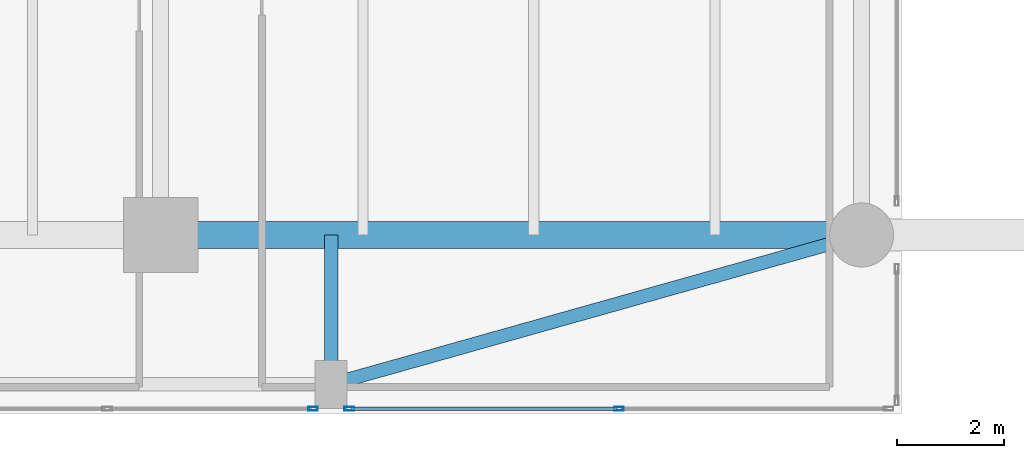
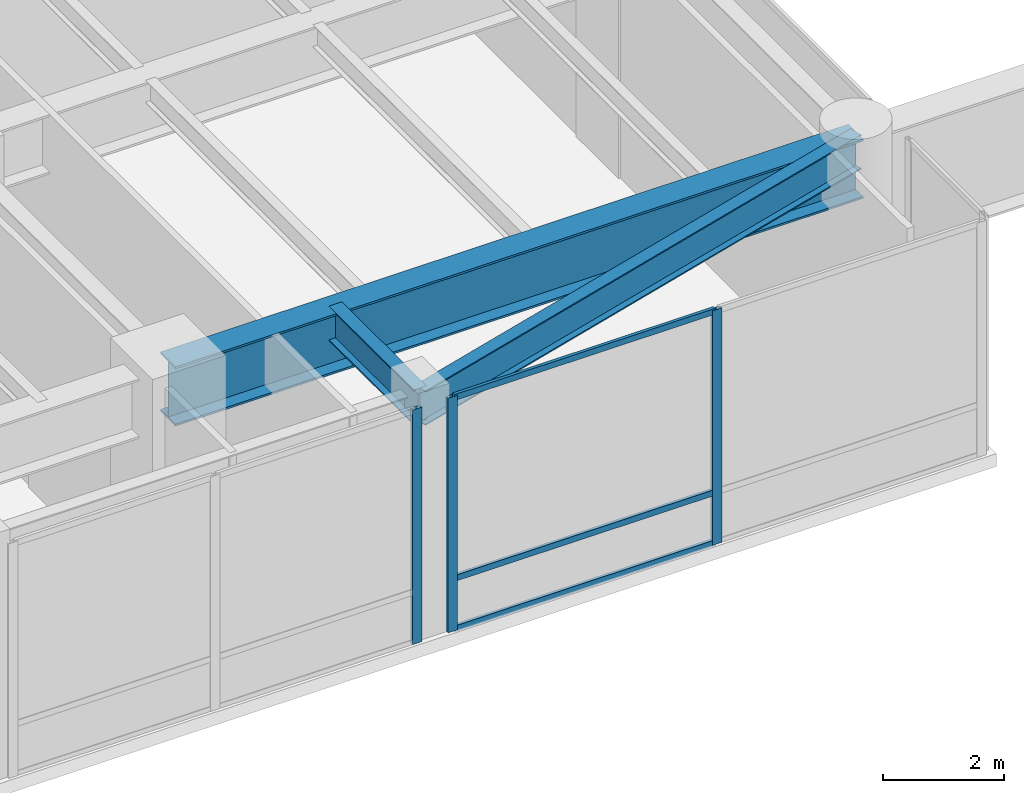
# One storey, part 6 of 39: 6 members, 3 beams, 2 elements without a shape of their own.
"""IFC4 building model written with IfcOpenShell, lengths in metres."""

from ifc_helpers import new_model, si_unit, direction, frame, origin, origin_2d, place, context, subcontext, project, spatial, hollow_rectangle, i_section, extrude, source, transform, mapped, material, layer, layer_set, material_profile, profile_set, type_object, type_shapes, element, aggregate, save


model = new_model("IFC4")

# Units and contexts
model_context = context("Model", 3, precision=1e-05, world=origin(), true_north=direction((0.0, 1.0)))
body_context = subcontext(model_context, "Body", "Model", "MODEL_VIEW")
ifc_project = project(units=[si_unit("LENGTHUNIT", "METRE"), si_unit("AREAUNIT", "SQUARE_METRE"), si_unit("VOLUMEUNIT", "CUBIC_METRE"), si_unit("PLANEANGLEUNIT", "RADIAN"), si_unit("MASSUNIT", "GRAM", prefix="KILO")], contexts=[model_context])

# Site, building, storey
site_placement = place(None, origin())
site = spatial("IfcSite", under=ifc_project, at=site_placement, CompositionType="ELEMENT")
building_placement = place(site_placement, origin())
building = spatial("IfcBuilding", under=site, at=building_placement, Name="Tolvann Quenvar Hotel", CompositionType="ELEMENT")
storey_placement = place(building_placement, frame((0.0, 0.0, 11.0)))
storey = spatial("IfcBuildingStorey", under=building, at=storey_placement, Name="L02", CompositionType="ELEMENT", Elevation=11.0)

# Beams
ifc_material_1 = material(Name="Steel Grade 350", Category="steel")
ifc_material_profile_1 = material_profile(ifc_material_1, i_section(OverallWidth=0.5, OverallDepth=1.199951171875, WebThickness=0.01611328125, FlangeThickness=0.0400390625, at=origin_2d()), Name="1200WB455")
ifc_profile_set_1 = profile_set([ifc_material_profile_1], Name="Steel Grade 350")
beam_type_1 = type_object("IfcBeamType", Name="BM_TG_1200WB455", PredefinedType="USERDEFINED", material=ifc_profile_set_1)
shared_shape_1 = source(origin(), body_context, "Body", "SweptSolid", [
    extrude(i_section(OverallWidth=0.5, OverallDepth=1.199951171875, WebThickness=0.01611328125, FlangeThickness=0.0400390625, at=origin_2d()), origin(), (0.0, 0.0, 1.0), 13.14990234375),
])
type_shapes(beam_type_1, [shared_shape_1])
beam_1_placement = place(storey_placement, frame((5.60009765625, 0.85009765625, 4.139892578125), z_axis=(1.0, 0.0, 0.0), x_axis=(0.0, 1.0, 0.0)))
element("IfcBeam", 1, at=beam_1_placement, inside=storey, type_object=beam_type_1, Name="BM-L02-GW2-1", ObjectType="TRANSFER GIRDER", PredefinedType="USERDEFINED", context=body_context, shape_type="MappedRepresentation", body=[
    mapped(shared_shape_1, transform((0.0, 0.0, 0.0), x_axis=(1.0, 0.0, 0.0), y_axis=(0.0, 1.0, 0.0), z_axis=(0.0, 0.0, 1.0), scale=1.0)),
])
ifc_material_profile_2 = material_profile(ifc_material_1, i_section(OverallWidth=0.25, OverallDepth=0.699951171875, WebThickness=0.010009765625, FlangeThickness=0.02392578125, at=origin_2d()), Name="700WB150")
ifc_profile_set_2 = profile_set([ifc_material_profile_2], Name="Steel Grade 350")
beam_type_2 = type_object("IfcBeamType", Name="BM_GIRD_700WB150", PredefinedType="BEAM", material=ifc_profile_set_2)
shared_shape_2 = source(origin(), body_context, "Body", "SweptSolid", [
    extrude(i_section(OverallWidth=0.25, OverallDepth=0.699951171875, WebThickness=0.010009765625, FlangeThickness=0.02392578125, at=origin_2d()), origin(), (0.0, 0.0, 1.0), 10.33642578125),
])
beam_2_placement = place(storey_placement, frame((8.800048828125, -1.949951171875, 4.389892578125), z_axis=(0.962609953155, 0.270891266169, 0.0), x_axis=(-0.270891266169, 0.962609953155, 0.0)))
element("IfcBeam", 2, at=beam_2_placement, inside=storey, type_object=beam_type_2, Name="BM-L02-EWS-W2", PredefinedType="BEAM", context=body_context, shape_type="MappedRepresentation", body=[
    mapped(shared_shape_2, transform((0.0, 0.0, 0.0), x_axis=(1.0, 0.0, 0.0), y_axis=(0.0, 1.0, 0.0), z_axis=(0.0, 0.0, 1.0), scale=1.0)),
])
shared_shape_3 = source(origin(), body_context, "Body", "SweptSolid", [
    extrude(i_section(OverallWidth=0.25, OverallDepth=0.699951171875, WebThickness=0.010009765625, FlangeThickness=0.02392578125, at=origin_2d()), origin(), (0.0, 0.0, 1.0), 2.800048828125),
])
type_shapes(beam_type_2, [shared_shape_2, shared_shape_3])
beam_3_placement = place(storey_placement, frame((8.800048828125, -1.949951171875, 4.389892578125), z_axis=(0.0, 1.0, 0.0), x_axis=(-1.0, 0.0, 0.0)))
element("IfcBeam", 3, at=beam_3_placement, inside=storey, type_object=beam_type_2, Name="BM-L02-TIE-S-8", PredefinedType="BEAM", context=body_context, shape_type="MappedRepresentation", body=[
    mapped(shared_shape_3, transform((0.0, 0.0, 0.0), x_axis=(1.0, 0.0, 0.0), y_axis=(0.0, 1.0, 0.0), z_axis=(0.0, 0.0, 1.0), scale=1.0)),
])

# Curtain wall, member
ifc_material_2 = material(Name="Thermally broken anodised architectural aluminium 6063-T6 and laminated low-E glass", Category="aluminium")
ifc_layer = layer(ifc_material_2, 0.179931640625)
ifc_layer_set = layer_set([ifc_layer], Name="Thermally broken anodised architectural aluminium 6063-T6 and laminated low-E glass")
curtain_wall_type = type_object("IfcCurtainWallType", Name="CW_SYS_BALL_02", PredefinedType="USERDEFINED", material=ifc_layer_set)
curtain_wall_1_placement = place(storey_placement, origin())
curtain_wall_1 = element("IfcCurtainWall", 4, at=curtain_wall_1_placement, inside=storey, type_object=curtain_wall_type, Name="Curtain Wall CW-BALL-02 (CWR-L02-E08-S2)", ObjectType="UNITISED CURTAIN WALL", PredefinedType="USERDEFINED")
ifc_material_3 = material(Name="Anodised architectural aluminium 6063-T6 framing", Category="aluminium")
ifc_material_profile_3 = material_profile(ifc_material_3, hollow_rectangle(XDim=0.070068359375, YDim=0.179931640625, WallThickness=0.00390625, at=origin_2d()), Name="180x70x4RHS")
ifc_profile_set_3 = profile_set([ifc_material_profile_3], Name="Anodised architectural aluminium 6063-T6 framing")
member_type_1 = type_object("IfcMemberType", Name="CW_MULL_180x70", PredefinedType="MULLION", material=ifc_profile_set_3)
shared_shape_4 = source(origin(), body_context, "Body", "SweptSolid", [
    extrude(hollow_rectangle(XDim=0.070068359375, YDim=0.179931640625, WallThickness=0.00390625, at=origin_2d()), origin(), (0.0, 0.0, 1.0), 4.739990234375),
])
type_shapes(member_type_1, [shared_shape_4])
member_1_placement = place(storey_placement, frame((8.4609375, -2.409912109375, 0.0), z_axis=(0.0, 0.0, 1.0), x_axis=(0.0, 1.0, 0.0)))
member_1 = element("IfcMember", 5, at=member_1_placement, type_object=member_type_1, Name="CW-BALL-02 mullion 3", PredefinedType="MULLION", context=body_context, shape_type="MappedRepresentation", body=[
    mapped(shared_shape_4, transform((0.0, 0.0, 0.0), x_axis=(1.0, 0.0, 0.0), y_axis=(0.0, 1.0, 0.0), z_axis=(0.0, 0.0, 1.0), scale=1.0)),
])
aggregate(curtain_wall_1, [member_1])

# Curtain wall, members
curtain_wall_2_placement = place(storey_placement, origin())
curtain_wall_2 = element("IfcCurtainWall", 6, at=curtain_wall_2_placement, inside=storey, type_object=curtain_wall_type, Name="Curtain Wall CW-BALL-02 (CWR-L02-E08-S3)", ObjectType="UNITISED CURTAIN WALL", PredefinedType="USERDEFINED")
member_2_placement = place(storey_placement, frame((9.138916015625, -2.409912109375, 0.0), z_axis=(0.0, 0.0, 1.0), x_axis=(0.0, 1.0, 0.0)))
member_2 = element("IfcMember", 7, at=member_2_placement, type_object=member_type_1, Name="CW-BALL-02 mullion 1", PredefinedType="MULLION", context=body_context, shape_type="MappedRepresentation", body=[
    mapped(shared_shape_4, transform((0.0, 0.0, 0.0), x_axis=(1.0, 0.0, 0.0), y_axis=(0.0, 1.0, 0.0), z_axis=(0.0, 0.0, 1.0), scale=1.0)),
])
member_3_placement = place(storey_placement, frame((14.197021484375, -2.409912109375, 0.0), z_axis=(0.0, 0.0, 1.0), x_axis=(0.0, 1.0, 0.0)))
member_3 = element("IfcMember", 8, at=member_3_placement, type_object=member_type_1, Name="CW-BALL-02 mullion 2", PredefinedType="MULLION", context=body_context, shape_type="MappedRepresentation", body=[
    mapped(shared_shape_4, transform((0.0, 0.0, 0.0), x_axis=(1.0, 0.0, 0.0), y_axis=(0.0, 1.0, 0.0), z_axis=(0.0, 0.0, 1.0), scale=1.0)),
])
ifc_material_profile_4 = material_profile(ifc_material_3, hollow_rectangle(XDim=0.06005859375, YDim=0.1201171875, WallThickness=0.00341796875, at=origin_2d()), Name="120x60x3.5RHS")
ifc_profile_set_4 = profile_set([ifc_material_profile_4], Name="Anodised architectural aluminium 6063-T6 framing")
member_type_2 = type_object("IfcMemberType", Name="CW_TRAN_120x60", PredefinedType="USERDEFINED", material=ifc_profile_set_4)
shared_shape_5 = source(origin(), body_context, "Body", "SweptSolid", [
    extrude(hollow_rectangle(XDim=0.06005859375, YDim=0.1201171875, WallThickness=0.00341796875, at=origin_2d()), origin(), (0.0, 0.0, 1.0), 4.988037109375),
])
type_shapes(member_type_2, [shared_shape_5])
member_4_placement = place(storey_placement, frame((9.174072265625, -2.409912109375, 0.030029296875), z_axis=(1.0, 0.0, 0.0), x_axis=(0.0, 1.0, 0.0)))
member_4 = element("IfcMember", 9, at=member_4_placement, type_object=member_type_2, Name="CW-BALL-02 transom 1.1", ObjectType="TRANSOM", PredefinedType="USERDEFINED", context=body_context, shape_type="MappedRepresentation", body=[
    mapped(shared_shape_5, transform((0.0, 0.0, 0.0), x_axis=(1.0, 0.0, 0.0), y_axis=(0.0, 1.0, 0.0), z_axis=(0.0, 0.0, 1.0), scale=1.0)),
])
member_5_placement = place(storey_placement, frame((9.174072265625, -2.409912109375, 1.050048828125), z_axis=(1.0, 0.0, 0.0), x_axis=(0.0, 1.0, 0.0)))
member_5 = element("IfcMember", 10, at=member_5_placement, type_object=member_type_2, Name="CW-BALL-02 transom 1.2", ObjectType="TRANSOM", PredefinedType="USERDEFINED", context=body_context, shape_type="MappedRepresentation", body=[
    mapped(shared_shape_5, transform((0.0, 0.0, 0.0), x_axis=(1.0, 0.0, 0.0), y_axis=(0.0, 1.0, 0.0), z_axis=(0.0, 0.0, 1.0), scale=1.0)),
])
member_6_placement = place(storey_placement, frame((9.174072265625, -2.409912109375, 4.7099609375), z_axis=(1.0, 0.0, 0.0), x_axis=(0.0, 1.0, 0.0)))
member_6 = element("IfcMember", 11, at=member_6_placement, type_object=member_type_2, Name="CW-BALL-02 transom 1.3", ObjectType="TRANSOM", PredefinedType="USERDEFINED", context=body_context, shape_type="MappedRepresentation", body=[
    mapped(shared_shape_5, transform((0.0, 0.0, 0.0), x_axis=(1.0, 0.0, 0.0), y_axis=(0.0, 1.0, 0.0), z_axis=(0.0, 0.0, 1.0), scale=1.0)),
])
aggregate(curtain_wall_2, [member_2, member_3, member_4, member_5, member_6])

save(model, "model.ifc")
